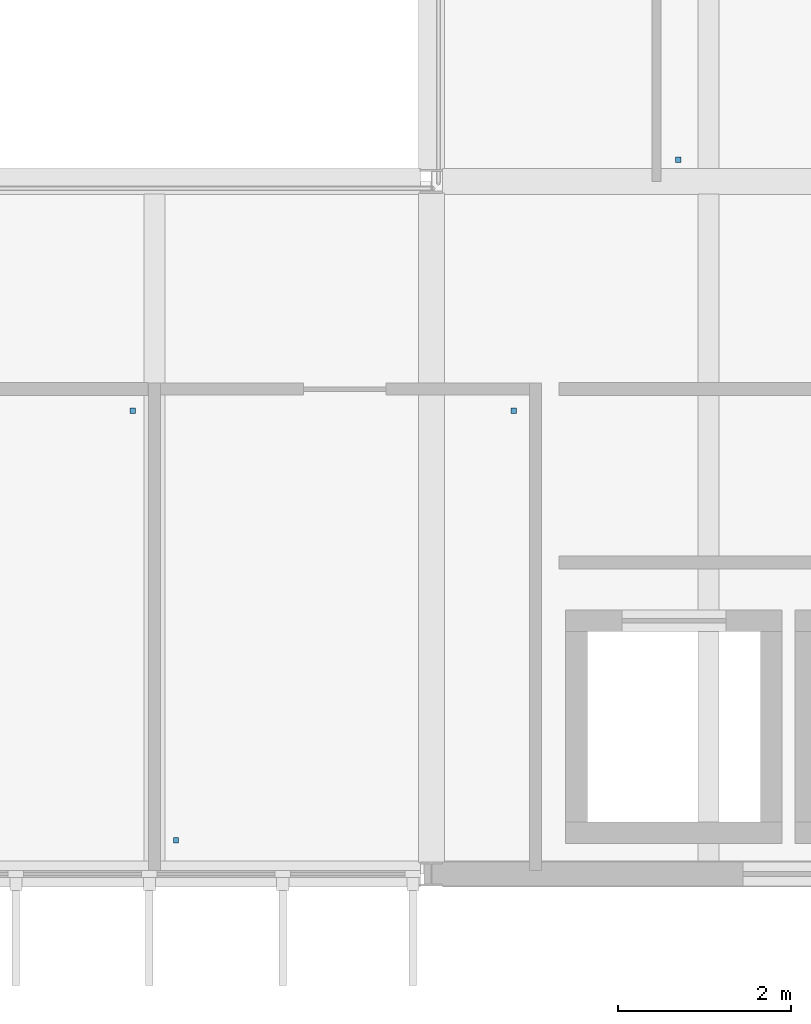
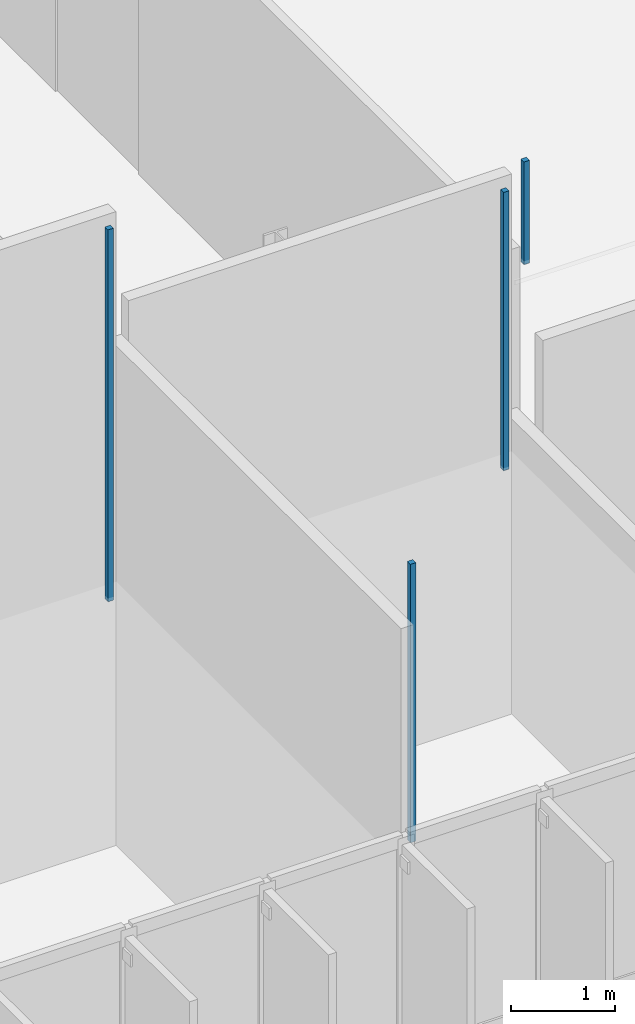
# One storey, part 32 of 41: 4 discrete accessories.
"""IFC4 building model written with IfcOpenShell, lengths in metres."""

from ifc_helpers import new_model, si_unit, direction, frame, origin, place, context, subcontext, project, spatial, polyline, outline, extrude, material, type_object, element, save


model = new_model("IFC4")

# Units and contexts
model_context = context("Model", 3, precision=1e-05, world=origin(), true_north=direction((0.0, 1.0)))
body_context = subcontext(model_context, "Body", "Model", "MODEL_VIEW")
ifc_project = project(units=[si_unit("LENGTHUNIT", "METRE"), si_unit("AREAUNIT", "SQUARE_METRE"), si_unit("VOLUMEUNIT", "CUBIC_METRE"), si_unit("PLANEANGLEUNIT", "RADIAN"), si_unit("MASSUNIT", "GRAM", prefix="KILO")], contexts=[model_context])

# Site, building, storey
site_placement = place(None, origin())
site = spatial("IfcSite", under=ifc_project, at=site_placement, CompositionType="ELEMENT")
building_placement = place(site_placement, origin())
building = spatial("IfcBuilding", under=site, at=building_placement, Name="Dunescarp Central Library", CompositionType="ELEMENT")
storey_placement = place(building_placement, frame((0.0, 0.0, 23.10009765625)))
storey = spatial("IfcBuildingStorey", under=building, at=storey_placement, Name="L05", CompositionType="ELEMENT", Elevation=23.10009765625)

# Discrete accessories
ifc_material = material(Name="Stainless steel Grade 316L", Category="steel")
discrete_accessory_type = type_object("IfcDiscreteAccessoryType", Name="ARC-ACC-BRK", PredefinedType="BRACKET", material=ifc_material)
discrete_accessory_1_placement = place(storey_placement, frame((0.0, 0.0, 3.059814453125)))
element("IfcDiscreteAccessory", 1, at=discrete_accessory_1_placement, inside=storey, type_object=discrete_accessory_type, Name="L05 ceiling hanger CLG-L05-083-H1", PredefinedType="BRACKET", context=body_context, shape_type="SweptSolid", body=[
    extrude(outline(polyline([(64.219970703125, 5.159912109375), (64.280029296875, 5.159912109375), (64.280029296875, 5.219970703125), (64.219970703125, 5.219970703125), (64.219970703125, 5.159912109375)])), origin(), (0.0, 0.0, 1.0), 3.273193359375),
])
discrete_accessory_2_placement = place(storey_placement, frame((0.0, 0.0, 3.059814453125)))
element("IfcDiscreteAccessory", 2, at=discrete_accessory_2_placement, inside=storey, type_object=discrete_accessory_type, Name="L05 ceiling hanger CLG-L05-083-H2", PredefinedType="BRACKET", context=body_context, shape_type="SweptSolid", body=[
    extrude(outline(polyline([(68.1201171875, 10.1201171875), (68.179931640625, 10.1201171875), (68.179931640625, 10.179931640625), (68.1201171875, 10.179931640625), (68.1201171875, 10.1201171875)])), origin(), (0.0, 0.0, 1.0), 3.273193359375),
])
discrete_accessory_3_placement = place(storey_placement, frame((0.0, 0.0, 3.059814453125)))
element("IfcDiscreteAccessory", 3, at=discrete_accessory_3_placement, inside=storey, type_object=discrete_accessory_type, Name="L05 ceiling hanger CLG-L05-086-H2", PredefinedType="BRACKET", context=body_context, shape_type="SweptSolid", body=[
    extrude(outline(polyline([(63.719970703125, 10.1201171875), (63.780029296875, 10.1201171875), (63.780029296875, 10.179931640625), (63.719970703125, 10.179931640625), (63.719970703125, 10.1201171875)])), origin(), (0.0, 0.0, 1.0), 4.373046875),
])
discrete_accessory_4_placement = place(storey_placement, frame((0.0, 0.0, 3.059814453125)))
element("IfcDiscreteAccessory", 4, at=discrete_accessory_4_placement, inside=storey, type_object=discrete_accessory_type, Name="L05 ceiling hanger CLG-L05-088-H1", PredefinedType="BRACKET", context=body_context, shape_type="SweptSolid", body=[
    extrude(outline(polyline([(70.02001953125, 13.02001953125), (70.080078125, 13.02001953125), (70.080078125, 13.080078125), (70.02001953125, 13.080078125), (70.02001953125, 13.02001953125)])), origin(), (0.0, 0.0, 1.0), 1.2080078125),
])

save(model, "model.ifc")
